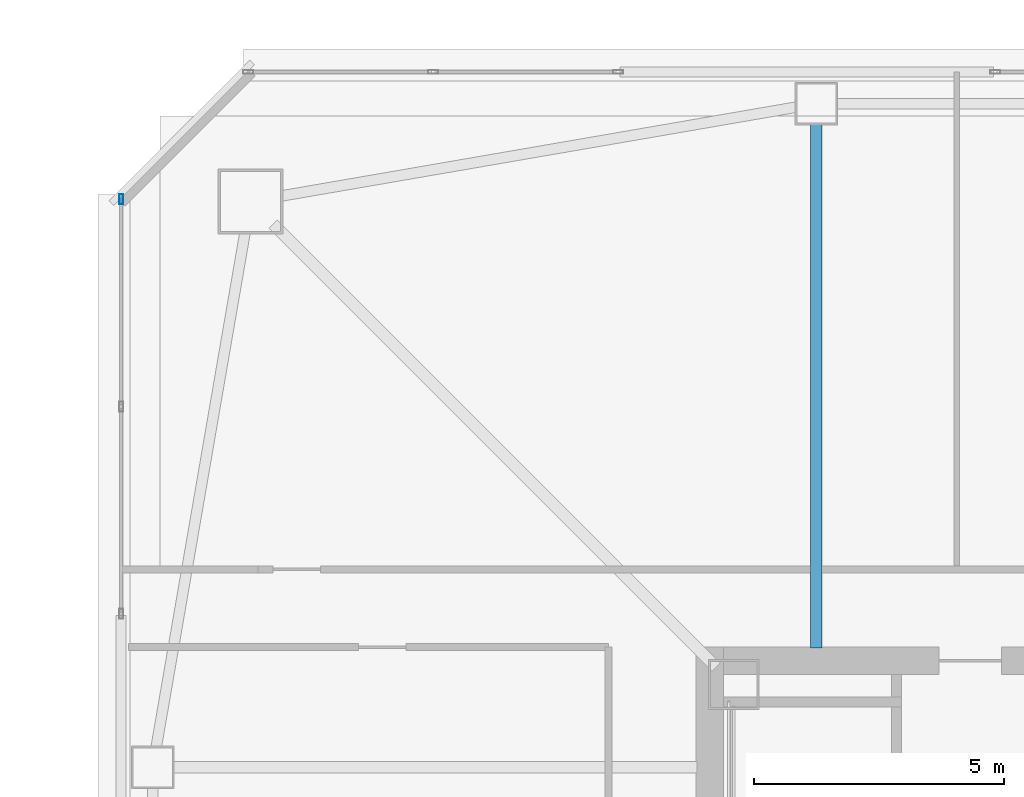
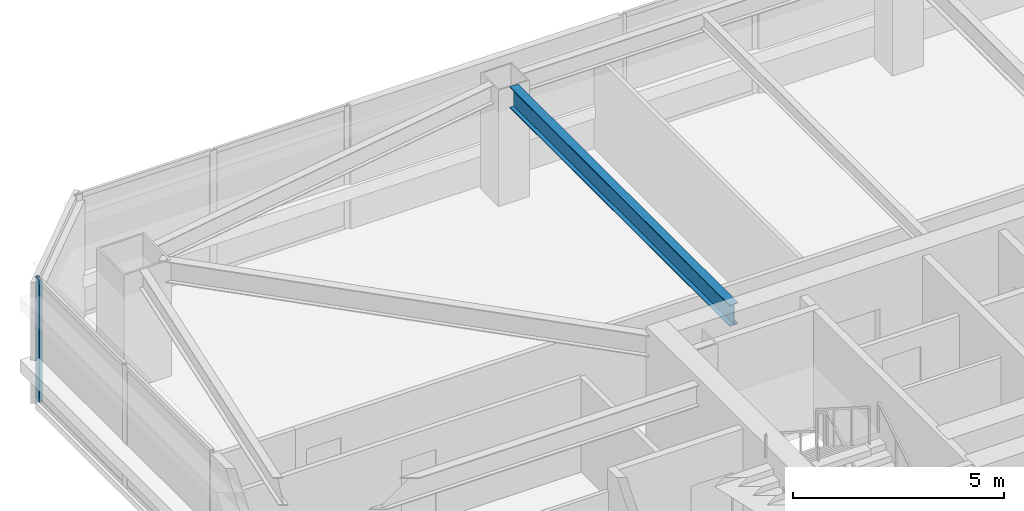
# One storey, part 12 of 44: 1 beam, 1 member, 1 element without a shape of its own.
"""IFC4 building model written with IfcOpenShell, lengths in metres."""

from ifc_helpers import new_model, si_unit, direction, frame, origin, origin_2d, place, context, subcontext, project, spatial, hollow_rectangle, i_section, extrude, material, material_profile, profile_set, type_object, element, aggregate, save


model = new_model("IFC4")

# Units and contexts
model_context = context("Model", 3, precision=1e-05, world=origin(), true_north=direction((0.0, 1.0)))
body_context = subcontext(model_context, "Body", "Model", "MODEL_VIEW")
ifc_project = project(units=[si_unit("LENGTHUNIT", "METRE"), si_unit("AREAUNIT", "SQUARE_METRE"), si_unit("VOLUMEUNIT", "CUBIC_METRE"), si_unit("PLANEANGLEUNIT", "RADIAN"), si_unit("MASSUNIT", "GRAM", prefix="KILO")], contexts=[model_context])

# Site, building, storey
site_placement = place(None, origin())
site = spatial("IfcSite", under=ifc_project, at=site_placement, CompositionType="ELEMENT")
building_placement = place(site_placement, origin())
building = spatial("IfcBuilding", under=site, at=building_placement, Name="Tashvorn Skyway Center", CompositionType="ELEMENT")
storey_placement = place(building_placement, frame((0.0, 0.0, 128.60009765625)))
storey = spatial("IfcBuildingStorey", under=building, at=storey_placement, Name="L34", CompositionType="ELEMENT", Elevation=128.60009765625)

# Beam
ifc_material_1 = material(Name="Steel ASTM A992 Grade 50", Category="steel")
ifc_material_profile_1 = material_profile(ifc_material_1, i_section(OverallWidth=0.22998046875, OverallDepth=0.616943359375, WebThickness=0.01318359375, FlangeThickness=0.022216796875, at=origin_2d()), Name="W24X94")
ifc_profile_set_1 = profile_set([ifc_material_profile_1], Name="Steel ASTM A992 Grade 50")
beam_type = type_object("IfcBeamType", Name="BM-BEAM-W24X94", PredefinedType="BEAM", material=ifc_profile_set_1)
beam_placement = place(storey_placement, frame((36.60009765625, 50.22998046875, 3.0615234375), z_axis=(0.0, -1.0, 0.0), x_axis=(1.0, 0.0, 0.0)))
element("IfcBeam", 1, at=beam_placement, inside=storey, type_object=beam_type, Name="Tower 1 L34 Primary Floor Girder FC-N2", PredefinedType="BEAM", context=body_context, shape_type="SweptSolid", body=[
    extrude(i_section(OverallWidth=0.22998046875, OverallDepth=0.616943359375, WebThickness=0.01318359375, FlangeThickness=0.022216796875, at=origin_2d()), origin(), (0.0, 0.0, 1.0), 10.449951171875),
])

# Curtain wall, member
ifc_material_2 = material(Name="Thermally broken bronze-anodized aluminium 6063-T6", Category="aluminium")
curtain_wall_type = type_object("IfcCurtainWallType", Name="CW-CW-Z3", PredefinedType="NOTDEFINED", material=ifc_material_2)
curtain_wall_placement = place(storey_placement, origin())
curtain_wall = element("IfcCurtainWall", 2, at=curtain_wall_placement, inside=storey, type_object=curtain_wall_type, Name="Tower 1 L34 West Curtain Wall R Glazing Group 1", PredefinedType="NOTDEFINED")
ifc_material_profile_2 = material_profile(ifc_material_2, hollow_rectangle(XDim=0.074951171875, YDim=0.199951171875, WallThickness=0.00439453125, at=origin_2d()), Name="ALU-MULL-75x200")
ifc_profile_set_2 = profile_set([ifc_material_profile_2], Name="Thermally broken bronze-anodized aluminium 6063-T6")
member_type = type_object("IfcMemberType", Name="CWM-CW-Z3", PredefinedType="MULLION", material=ifc_profile_set_2)
member_placement = place(storey_placement, frame((22.719970703125, 48.742431640625, 0.0), z_axis=(0.0, 0.0, 1.0), x_axis=(-1.0, 0.0, 0.0)))
member = element("IfcMember", 3, at=member_placement, type_object=member_type, Name="CW-Z3 mullion 3", PredefinedType="MULLION", context=body_context, shape_type="SweptSolid", body=[
    extrude(hollow_rectangle(XDim=0.074951171875, YDim=0.199951171875, WallThickness=0.00439453125, at=origin_2d()), origin(), (0.0, 0.0, 1.0), 3.5498046875),
])
aggregate(curtain_wall, [member])

save(model, "model.ifc")
